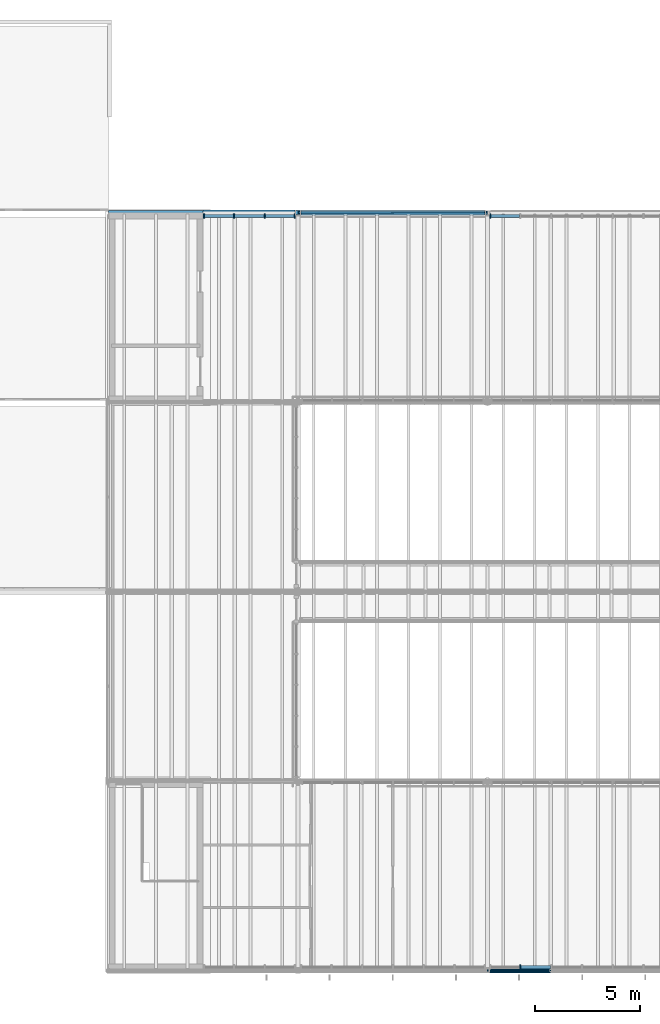
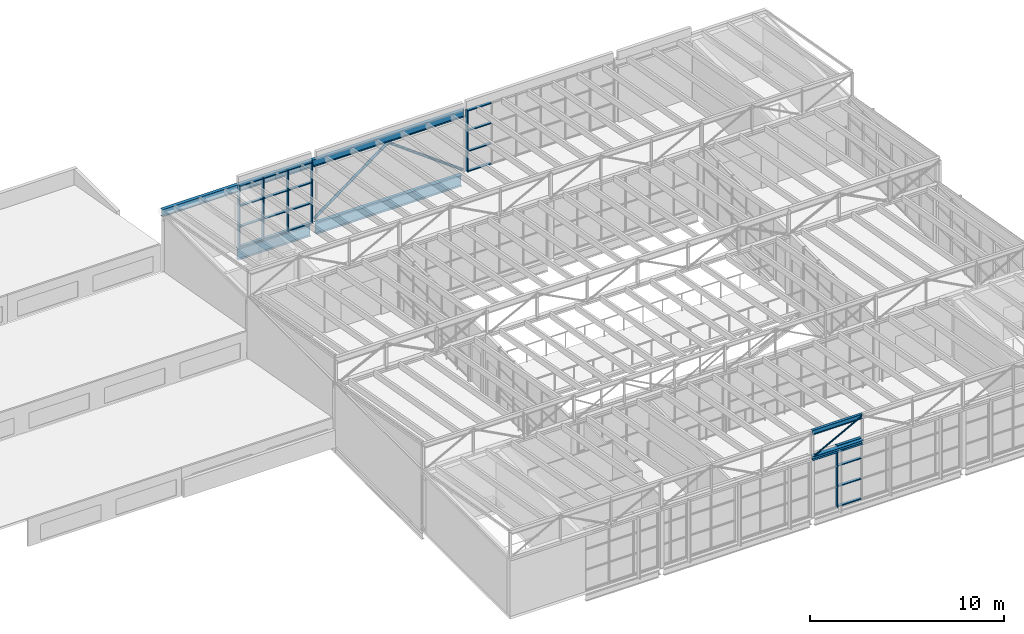
# One storey, part 16 of 44: 31 members, 4 beams, 3 elements without a shape of their own.
"""IFC4 building model written with IfcOpenShell, lengths in metres."""

from ifc_helpers import new_model, si_unit, direction, frame, origin, origin_2d, place, context, subcontext, project, spatial, rectangle, hollow_circle, i_section, extrude, material, layer, layer_set, material_profile, profile_set, type_object, element, aggregate, save


model = new_model("IFC4")

# Units and contexts
model_context = context("Model", 3, precision=1e-05, world=origin(), true_north=direction((0.0, 1.0)))
body_context = subcontext(model_context, "Body", "Model", "MODEL_VIEW")
ifc_project = project(units=[si_unit("LENGTHUNIT", "METRE"), si_unit("AREAUNIT", "SQUARE_METRE"), si_unit("VOLUMEUNIT", "CUBIC_METRE"), si_unit("PLANEANGLEUNIT", "RADIAN"), si_unit("MASSUNIT", "GRAM", prefix="KILO")], contexts=[model_context])

# Site, building, storey
site_placement = place(None, origin())
site = spatial("IfcSite", under=ifc_project, at=site_placement, CompositionType="ELEMENT")
building_placement = place(site_placement, origin())
building = spatial("IfcBuilding", under=site, at=building_placement, Name="Halyard Row Museum", CompositionType="ELEMENT")
storey_placement = place(building_placement, frame((0.0, 0.0, 21.199951171875)))
storey = spatial("IfcBuildingStorey", under=building, at=storey_placement, Name="L04", CompositionType="ELEMENT", Elevation=21.199951171875)

# Members
ifc_material_1 = material(Name="Steel Grade C350L0", Category="steel")
ifc_material_profile_1 = material_profile(ifc_material_1, hollow_circle(Radius=0.084228515625, WallThickness=0.007080078125, at=origin_2d()), Name="168.3x7.1CHS")
ifc_profile_set_1 = profile_set([ifc_material_profile_1], Name="Steel Grade C350L0")
member_type_1 = type_object("IfcMemberType", Name="Brace 168.3x7.1CHS", PredefinedType="BRACE", material=ifc_profile_set_1)
member_1_placement = place(storey_placement, frame((81.074951171875, 36.0, 0.084228515625), z_axis=(0.803958535514, 0.0, 0.594685356449), x_axis=(0.0, 1.0, 0.0)))
element("IfcMember", 1, at=member_1_placement, inside=storey, type_object=member_type_1, Name="Brace L04 Y36 81-90 A", PredefinedType="BRACE", context=body_context, shape_type="SweptSolid", body=[
    extrude(hollow_circle(Radius=0.084228515625, WallThickness=0.007080078125, at=origin_2d()), origin(), (0.0, 0.0, 1.0), 5.504150390625),
])
member_2_placement = place(storey_placement, frame((89.949951171875, 36.0, 0.084228515625), z_axis=(-0.805549880009, 0.0, 0.592527966274), x_axis=(0.0, -1.0, 0.0)))
element("IfcMember", 2, at=member_2_placement, inside=storey, type_object=member_type_1, Name="Brace L04 Y36 81-90 B", PredefinedType="BRACE", context=body_context, shape_type="SweptSolid", body=[
    extrude(hollow_circle(Radius=0.084228515625, WallThickness=0.007080078125, at=origin_2d()), origin(), (0.0, 0.0, 1.0), 5.524169921875),
])

# Curtain wall, member
ifc_material_2 = material(Name="Double glazed unit, low-emissivity", Category="glass")
ifc_layer = layer(ifc_material_2, 0.219970703125)
ifc_layer_set = layer_set([ifc_layer], Name="Double glazed unit, low-emissivity")
curtain_wall_type = type_object("IfcCurtainWallType", Name="Curtain wall unitised 220 deep", PredefinedType="NOTDEFINED", material=ifc_layer_set)
curtain_wall_1_placement = place(storey_placement, origin())
curtain_wall_1 = element("IfcCurtainWall", 3, at=curtain_wall_1_placement, inside=storey, type_object=curtain_wall_type, Name="Curtain wall CW057", PredefinedType="NOTDEFINED")
ifc_material_3 = material(Name="Powder-coated aluminium section", Category="aluminium")
ifc_material_profile_2 = material_profile(ifc_material_3, rectangle(XDim=0.219970703125, YDim=0.06005859375, at=origin_2d()), Name="220x60 mullion")
ifc_profile_set_2 = profile_set([ifc_material_profile_2], Name="Powder-coated aluminium section")
member_type_2 = type_object("IfcMemberType", Name="Curtain wall mullion CM3 60 x 220", PredefinedType="MULLION", material=ifc_profile_set_2)
member_3_placement = place(storey_placement, frame((91.5625, 0.159912109375, 0.0), z_axis=(0.0, 0.0, 1.0), x_axis=(0.0, 1.0, 0.0)))
member_3 = element("IfcMember", 4, at=member_3_placement, type_object=member_type_2, Name="CW057 mullion 2", PredefinedType="MULLION", context=body_context, shape_type="SweptSolid", body=[
    extrude(rectangle(XDim=0.219970703125, YDim=0.06005859375, at=origin_2d()), origin(), (0.0, 0.0, 1.0), 3.878173828125),
])

curtain_wall_2_placement = place(storey_placement, origin())
curtain_wall_2 = element("IfcCurtainWall", 5, at=curtain_wall_2_placement, inside=storey, type_object=curtain_wall_type, Name="Curtain wall CW061", PredefinedType="NOTDEFINED")
member_4_placement = place(storey_placement, frame((90.1298828125, 35.840087890625, 0.0), z_axis=(0.0, 0.0, 1.0), x_axis=(0.0, -1.0, 0.0)))
member_4 = element("IfcMember", 6, at=member_4_placement, type_object=member_type_2, Name="CW061 mullion 7", PredefinedType="MULLION", context=body_context, shape_type="SweptSolid", body=[
    extrude(rectangle(XDim=0.219970703125, YDim=0.06005859375, at=origin_2d()), origin(), (0.0, 0.0, 1.0), 3.878173828125),
])

# Curtain wall, members
curtain_wall_3_placement = place(storey_placement, origin())
curtain_wall_3 = element("IfcCurtainWall", 7, at=curtain_wall_3_placement, inside=storey, type_object=curtain_wall_type, Name="Curtain wall CW062", PredefinedType="NOTDEFINED")
member_5_placement = place(storey_placement, frame((80.844970703125, 35.840087890625, 0.0), z_axis=(0.0, 0.0, 1.0), x_axis=(0.0, -1.0, 0.0)))
member_5 = element("IfcMember", 8, at=member_5_placement, type_object=member_type_2, Name="CW062 mullion 1", PredefinedType="MULLION", context=body_context, shape_type="SweptSolid", body=[
    extrude(rectangle(XDim=0.219970703125, YDim=0.06005859375, at=origin_2d()), origin(), (0.0, 0.0, 1.0), 3.878173828125),
])
member_6_placement = place(storey_placement, frame((79.416748046875, 35.840087890625, 0.0), z_axis=(0.0, 0.0, 1.0), x_axis=(0.0, -1.0, 0.0)))
member_6 = element("IfcMember", 9, at=member_6_placement, type_object=member_type_2, Name="CW062 mullion 2", PredefinedType="MULLION", context=body_context, shape_type="SweptSolid", body=[
    extrude(rectangle(XDim=0.219970703125, YDim=0.06005859375, at=origin_2d()), origin(), (0.0, 0.0, 1.0), 3.878173828125),
])
member_7_placement = place(storey_placement, frame((77.958251953125, 35.840087890625, 0.0), z_axis=(0.0, 0.0, 1.0), x_axis=(0.0, -1.0, 0.0)))
member_7 = element("IfcMember", 10, at=member_7_placement, type_object=member_type_2, Name="CW062 mullion 3", PredefinedType="MULLION", context=body_context, shape_type="SweptSolid", body=[
    extrude(rectangle(XDim=0.219970703125, YDim=0.06005859375, at=origin_2d()), origin(), (0.0, 0.0, 1.0), 3.878173828125),
])
member_8_placement = place(storey_placement, frame((76.530029296875, 35.840087890625, 0.0), z_axis=(0.0, 0.0, 1.0), x_axis=(0.0, -1.0, 0.0)))
member_8 = element("IfcMember", 11, at=member_8_placement, type_object=member_type_2, Name="CW062 mullion 4", PredefinedType="MULLION", context=body_context, shape_type="SweptSolid", body=[
    extrude(rectangle(XDim=0.219970703125, YDim=0.06005859375, at=origin_2d()), origin(), (0.0, 0.0, 1.0), 3.878173828125),
])

# Member
ifc_material_4 = material(Name="Powder-coated aluminium section", Category="aluminium")
ifc_material_profile_3 = material_profile(ifc_material_4, rectangle(XDim=0.159912109375, YDim=0.06005859375, at=origin_2d()), Name="160x60 transom")
ifc_profile_set_3 = profile_set([ifc_material_profile_3], Name="Powder-coated aluminium section")
member_type_3 = type_object("IfcMemberType", Name="Curtain wall transom CT3 60 x 160", PredefinedType="USERDEFINED", material=ifc_profile_set_3)
member_9_placement = place(storey_placement, frame((91.592529296875, 0.159912109375, 0.030029296875), z_axis=(1.0, 0.0, 0.0), x_axis=(0.0, 1.0, 0.0)))
member_9 = element("IfcMember", 12, at=member_9_placement, type_object=member_type_3, Name="CW057 transom 2.1", ObjectType="TRANSOM", PredefinedType="USERDEFINED", context=body_context, shape_type="SweptSolid", body=[
    extrude(rectangle(XDim=0.159912109375, YDim=0.06005859375, at=origin_2d()), origin(), (0.0, 0.0, 1.0), 1.402587890625),
])

member_10_placement = place(storey_placement, frame((91.592529296875, 0.159912109375, 1.292724609375), z_axis=(1.0, 0.0, 0.0), x_axis=(0.0, 1.0, 0.0)))
member_10 = element("IfcMember", 13, at=member_10_placement, type_object=member_type_3, Name="CW057 transom 2.2", ObjectType="TRANSOM", PredefinedType="USERDEFINED", context=body_context, shape_type="SweptSolid", body=[
    extrude(rectangle(XDim=0.159912109375, YDim=0.06005859375, at=origin_2d()), origin(), (0.0, 0.0, 1.0), 1.402587890625),
])

member_11_placement = place(storey_placement, frame((91.592529296875, 0.159912109375, 2.58544921875), z_axis=(1.0, 0.0, 0.0), x_axis=(0.0, 1.0, 0.0)))
member_11 = element("IfcMember", 14, at=member_11_placement, type_object=member_type_3, Name="CW057 transom 2.3", ObjectType="TRANSOM", PredefinedType="USERDEFINED", context=body_context, shape_type="SweptSolid", body=[
    extrude(rectangle(XDim=0.159912109375, YDim=0.06005859375, at=origin_2d()), origin(), (0.0, 0.0, 1.0), 1.402587890625),
])

member_12_placement = place(storey_placement, frame((91.592529296875, 0.159912109375, 3.84814453125), z_axis=(1.0, 0.0, 0.0), x_axis=(0.0, 1.0, 0.0)))
member_12 = element("IfcMember", 15, at=member_12_placement, type_object=member_type_3, Name="CW057 transom 2.4", ObjectType="TRANSOM", PredefinedType="USERDEFINED", context=body_context, shape_type="SweptSolid", body=[
    extrude(rectangle(XDim=0.159912109375, YDim=0.06005859375, at=origin_2d()), origin(), (0.0, 0.0, 1.0), 1.402587890625),
])

aggregate(curtain_wall_1, [member_3, member_9, member_10, member_11, member_12])

member_13_placement = place(storey_placement, frame((91.532470703125, 35.840087890625, 0.030029296875), z_axis=(-1.0, 0.0, 0.0), x_axis=(0.0, -1.0, 0.0)))
member_13 = element("IfcMember", 16, at=member_13_placement, type_object=member_type_3, Name="CW061 transom 6.1", ObjectType="TRANSOM", PredefinedType="USERDEFINED", context=body_context, shape_type="SweptSolid", body=[
    extrude(rectangle(XDim=0.159912109375, YDim=0.06005859375, at=origin_2d()), origin(), (0.0, 0.0, 1.0), 1.37255859375),
])

member_14_placement = place(storey_placement, frame((91.532470703125, 35.840087890625, 1.292724609375), z_axis=(-1.0, 0.0, 0.0), x_axis=(0.0, -1.0, 0.0)))
member_14 = element("IfcMember", 17, at=member_14_placement, type_object=member_type_3, Name="CW061 transom 6.2", ObjectType="TRANSOM", PredefinedType="USERDEFINED", context=body_context, shape_type="SweptSolid", body=[
    extrude(rectangle(XDim=0.159912109375, YDim=0.06005859375, at=origin_2d()), origin(), (0.0, 0.0, 1.0), 1.37255859375),
])

member_15_placement = place(storey_placement, frame((91.532470703125, 35.840087890625, 2.58544921875), z_axis=(-1.0, 0.0, 0.0), x_axis=(0.0, -1.0, 0.0)))
member_15 = element("IfcMember", 18, at=member_15_placement, type_object=member_type_3, Name="CW061 transom 6.3", ObjectType="TRANSOM", PredefinedType="USERDEFINED", context=body_context, shape_type="SweptSolid", body=[
    extrude(rectangle(XDim=0.159912109375, YDim=0.06005859375, at=origin_2d()), origin(), (0.0, 0.0, 1.0), 1.37255859375),
])

member_16_placement = place(storey_placement, frame((91.532470703125, 35.840087890625, 3.84814453125), z_axis=(-1.0, 0.0, 0.0), x_axis=(0.0, -1.0, 0.0)))
member_16 = element("IfcMember", 19, at=member_16_placement, type_object=member_type_3, Name="CW061 transom 6.4", ObjectType="TRANSOM", PredefinedType="USERDEFINED", context=body_context, shape_type="SweptSolid", body=[
    extrude(rectangle(XDim=0.159912109375, YDim=0.06005859375, at=origin_2d()), origin(), (0.0, 0.0, 1.0), 1.37255859375),
])

aggregate(curtain_wall_2, [member_4, member_13, member_14, member_15, member_16])

member_17_placement = place(storey_placement, frame((80.81494140625, 35.840087890625, 0.030029296875), z_axis=(-1.0, 0.0, 0.0), x_axis=(0.0, -1.0, 0.0)))
member_17 = element("IfcMember", 20, at=member_17_placement, type_object=member_type_3, Name="CW062 transom 1.1", ObjectType="TRANSOM", PredefinedType="USERDEFINED", context=body_context, shape_type="SweptSolid", body=[
    extrude(rectangle(XDim=0.159912109375, YDim=0.06005859375, at=origin_2d()), origin(), (0.0, 0.0, 1.0), 1.3681640625),
])

member_18_placement = place(storey_placement, frame((80.81494140625, 35.840087890625, 1.292724609375), z_axis=(-1.0, 0.0, 0.0), x_axis=(0.0, -1.0, 0.0)))
member_18 = element("IfcMember", 21, at=member_18_placement, type_object=member_type_3, Name="CW062 transom 1.2", ObjectType="TRANSOM", PredefinedType="USERDEFINED", context=body_context, shape_type="SweptSolid", body=[
    extrude(rectangle(XDim=0.159912109375, YDim=0.06005859375, at=origin_2d()), origin(), (0.0, 0.0, 1.0), 1.3681640625),
])

member_19_placement = place(storey_placement, frame((80.81494140625, 35.840087890625, 2.58544921875), z_axis=(-1.0, 0.0, 0.0), x_axis=(0.0, -1.0, 0.0)))
member_19 = element("IfcMember", 22, at=member_19_placement, type_object=member_type_3, Name="CW062 transom 1.3", ObjectType="TRANSOM", PredefinedType="USERDEFINED", context=body_context, shape_type="SweptSolid", body=[
    extrude(rectangle(XDim=0.159912109375, YDim=0.06005859375, at=origin_2d()), origin(), (0.0, 0.0, 1.0), 1.3681640625),
])

member_20_placement = place(storey_placement, frame((80.81494140625, 35.840087890625, 3.84814453125), z_axis=(-1.0, 0.0, 0.0), x_axis=(0.0, -1.0, 0.0)))
member_20 = element("IfcMember", 23, at=member_20_placement, type_object=member_type_3, Name="CW062 transom 1.4", ObjectType="TRANSOM", PredefinedType="USERDEFINED", context=body_context, shape_type="SweptSolid", body=[
    extrude(rectangle(XDim=0.159912109375, YDim=0.06005859375, at=origin_2d()), origin(), (0.0, 0.0, 1.0), 1.3681640625),
])

member_21_placement = place(storey_placement, frame((79.38671875, 35.840087890625, 0.030029296875), z_axis=(-1.0, 0.0, 0.0), x_axis=(0.0, -1.0, 0.0)))
member_21 = element("IfcMember", 24, at=member_21_placement, type_object=member_type_3, Name="CW062 transom 2.1", ObjectType="TRANSOM", PredefinedType="USERDEFINED", context=body_context, shape_type="SweptSolid", body=[
    extrude(rectangle(XDim=0.159912109375, YDim=0.06005859375, at=origin_2d()), origin(), (0.0, 0.0, 1.0), 1.3984375),
])

member_22_placement = place(storey_placement, frame((79.38671875, 35.840087890625, 1.292724609375), z_axis=(-1.0, 0.0, 0.0), x_axis=(0.0, -1.0, 0.0)))
member_22 = element("IfcMember", 25, at=member_22_placement, type_object=member_type_3, Name="CW062 transom 2.2", ObjectType="TRANSOM", PredefinedType="USERDEFINED", context=body_context, shape_type="SweptSolid", body=[
    extrude(rectangle(XDim=0.159912109375, YDim=0.06005859375, at=origin_2d()), origin(), (0.0, 0.0, 1.0), 1.3984375),
])

member_23_placement = place(storey_placement, frame((79.38671875, 35.840087890625, 2.58544921875), z_axis=(-1.0, 0.0, 0.0), x_axis=(0.0, -1.0, 0.0)))
member_23 = element("IfcMember", 26, at=member_23_placement, type_object=member_type_3, Name="CW062 transom 2.3", ObjectType="TRANSOM", PredefinedType="USERDEFINED", context=body_context, shape_type="SweptSolid", body=[
    extrude(rectangle(XDim=0.159912109375, YDim=0.06005859375, at=origin_2d()), origin(), (0.0, 0.0, 1.0), 1.3984375),
])

member_24_placement = place(storey_placement, frame((79.38671875, 35.840087890625, 3.84814453125), z_axis=(-1.0, 0.0, 0.0), x_axis=(0.0, -1.0, 0.0)))
member_24 = element("IfcMember", 27, at=member_24_placement, type_object=member_type_3, Name="CW062 transom 2.4", ObjectType="TRANSOM", PredefinedType="USERDEFINED", context=body_context, shape_type="SweptSolid", body=[
    extrude(rectangle(XDim=0.159912109375, YDim=0.06005859375, at=origin_2d()), origin(), (0.0, 0.0, 1.0), 1.3984375),
])

member_25_placement = place(storey_placement, frame((77.92822265625, 35.840087890625, 0.030029296875), z_axis=(-1.0, 0.0, 0.0), x_axis=(0.0, -1.0, 0.0)))
member_25 = element("IfcMember", 28, at=member_25_placement, type_object=member_type_3, Name="CW062 transom 3.1", ObjectType="TRANSOM", PredefinedType="USERDEFINED", context=body_context, shape_type="SweptSolid", body=[
    extrude(rectangle(XDim=0.159912109375, YDim=0.06005859375, at=origin_2d()), origin(), (0.0, 0.0, 1.0), 1.3681640625),
])

member_26_placement = place(storey_placement, frame((77.92822265625, 35.840087890625, 1.292724609375), z_axis=(-1.0, 0.0, 0.0), x_axis=(0.0, -1.0, 0.0)))
member_26 = element("IfcMember", 29, at=member_26_placement, type_object=member_type_3, Name="CW062 transom 3.2", ObjectType="TRANSOM", PredefinedType="USERDEFINED", context=body_context, shape_type="SweptSolid", body=[
    extrude(rectangle(XDim=0.159912109375, YDim=0.06005859375, at=origin_2d()), origin(), (0.0, 0.0, 1.0), 1.3681640625),
])

member_27_placement = place(storey_placement, frame((77.92822265625, 35.840087890625, 2.58544921875), z_axis=(-1.0, 0.0, 0.0), x_axis=(0.0, -1.0, 0.0)))
member_27 = element("IfcMember", 30, at=member_27_placement, type_object=member_type_3, Name="CW062 transom 3.3", ObjectType="TRANSOM", PredefinedType="USERDEFINED", context=body_context, shape_type="SweptSolid", body=[
    extrude(rectangle(XDim=0.159912109375, YDim=0.06005859375, at=origin_2d()), origin(), (0.0, 0.0, 1.0), 1.3681640625),
])

member_28_placement = place(storey_placement, frame((77.92822265625, 35.840087890625, 3.84814453125), z_axis=(-1.0, 0.0, 0.0), x_axis=(0.0, -1.0, 0.0)))
member_28 = element("IfcMember", 31, at=member_28_placement, type_object=member_type_3, Name="CW062 transom 3.4", ObjectType="TRANSOM", PredefinedType="USERDEFINED", context=body_context, shape_type="SweptSolid", body=[
    extrude(rectangle(XDim=0.159912109375, YDim=0.06005859375, at=origin_2d()), origin(), (0.0, 0.0, 1.0), 1.3681640625),
])

aggregate(curtain_wall_3, [member_5, member_6, member_7, member_8, member_17, member_18, member_19, member_20, member_21, member_22, member_23, member_24, member_25, member_26, member_27, member_28])

# Beams
ifc_material_5 = material(Name="Steel Grade 300", Category="steel")
ifc_material_profile_4 = material_profile(ifc_material_5, i_section(OverallWidth=0.19091796875, OverallDepth=0.46044921875, WebThickness=0.010009765625, FlangeThickness=0.01611328125, FilletRadius=0.011474609375, at=origin_2d()), Name="460UB82.1")
ifc_profile_set_4 = profile_set([ifc_material_profile_4], Name="Steel Grade 300")
beam_type_1 = type_object("IfcBeamType", Name="Eave girder 460UB82.1", PredefinedType="BEAM", material=ifc_profile_set_4)
for number, where, z_axis, x_axis, name in (
    (32, (72.0, 36.0, 3.64990234375), (1.0, 0.0, 0.0), (0.0, 1.0, 0.0), "V2 eave girder 5.1"),
    (33, (81.0, 36.0, 3.64990234375), (1.0, 0.0, 0.0), (0.0, 1.0, 0.0), "V2 eave girder 5.2"),
):
    element("IfcBeam", number, at=place(storey_placement, frame(where, z_axis=z_axis, x_axis=x_axis)), inside=storey, type_object=beam_type_1, Name=name, PredefinedType="BEAM", context=body_context, shape_type="SweptSolid", body=[
        extrude(i_section(OverallWidth=0.19091796875, OverallDepth=0.46044921875, WebThickness=0.010009765625, FlangeThickness=0.01611328125, FilletRadius=0.011474609375, at=origin_2d()), origin(), (0.0, 0.0, 1.0), 9.0),
    ])
ifc_material_6 = material(Name="Steel Grade 300", Category="steel")
ifc_material_profile_5 = material_profile(ifc_material_6, i_section(OverallWidth=0.25, OverallDepth=0.699951171875, WebThickness=0.010009765625, FlangeThickness=0.02001953125, at=origin_2d()), Name="700WB130")
ifc_profile_set_5 = profile_set([ifc_material_profile_5], Name="Steel Grade 300")
beam_type_2 = type_object("IfcBeamType", Name="Edge beam 700WB130", PredefinedType="BEAM", material=ifc_profile_set_5)
beam_1_placement = place(storey_placement, frame((76.5, 36.0, -0.514892578125), z_axis=(1.0, 0.0, 0.0), x_axis=(0.0, 1.0, 0.0)))
element("IfcBeam", 34, at=beam_1_placement, inside=storey, type_object=beam_type_2, Name="Beam L04-015", PredefinedType="BEAM", context=body_context, shape_type="SweptSolid", body=[
    extrude(i_section(OverallWidth=0.25, OverallDepth=0.699951171875, WebThickness=0.010009765625, FlangeThickness=0.02001953125, at=origin_2d()), origin(), (0.0, 0.0, 1.0), 4.35009765625),
])
beam_2_placement = place(storey_placement, frame((81.14990234375, 36.0, -0.514892578125), z_axis=(1.0, 0.0, 0.0), x_axis=(0.0, 1.0, 0.0)))
element("IfcBeam", 35, at=beam_2_placement, inside=storey, type_object=beam_type_2, Name="Beam L04-016", PredefinedType="BEAM", context=body_context, shape_type="SweptSolid", body=[
    extrude(i_section(OverallWidth=0.25, OverallDepth=0.699951171875, WebThickness=0.010009765625, FlangeThickness=0.02001953125, at=origin_2d()), origin(), (0.0, 0.0, 1.0), 8.7001953125),
])

# Members
ifc_material_7 = material(Name="Steel Grade 300", Category="steel")
ifc_material_profile_6 = material_profile(ifc_material_7, i_section(OverallWidth=0.25390625, OverallDepth=0.25390625, WebThickness=0.008544921875, FlangeThickness=0.01416015625, FilletRadius=0.013916015625, at=origin_2d()), Name="250UC72.9")
ifc_profile_set_6 = profile_set([ifc_material_profile_6], Name="Steel Grade 300")
member_type_4 = type_object("IfcMemberType", Name="Valley truss bottom chord 250UC72.9", PredefinedType="CHORD", material=ifc_profile_set_6)
member_29_placement = place(storey_placement, frame((90.0, 0.0, 3.72705078125), z_axis=(1.0, 0.0, 0.0), x_axis=(0.0, 1.0, 0.0)))
element("IfcMember", 36, at=member_29_placement, inside=storey, type_object=member_type_4, Name="V2-VT1 bottom chord 3.1", PredefinedType="CHORD", context=body_context, shape_type="SweptSolid", body=[
    extrude(i_section(OverallWidth=0.25390625, OverallDepth=0.25390625, WebThickness=0.008544921875, FlangeThickness=0.01416015625, FilletRadius=0.013916015625, at=origin_2d()), origin(), (0.0, 0.0, 1.0), 3.0),
])
ifc_material_8 = material(Name="Steel Grade C250L0", Category="steel")
ifc_material_profile_7 = material_profile(ifc_material_8, hollow_circle(Radius=0.04443359375, WallThickness=0.0048828125, at=origin_2d()), Name="88.9x5.0CHS")
ifc_profile_set_7 = profile_set([ifc_material_profile_7], Name="Steel Grade C250L0")
member_type_5 = type_object("IfcMemberType", Name="Valley truss diagonal 88.9x5.0CHS", PredefinedType="BRACE", material=ifc_profile_set_7)
member_30_placement = place(storey_placement, frame((90.0, 0.0, 3.72705078125), z_axis=(0.881863759518, 0.0, 0.471504305016), x_axis=(0.0, 1.0, 0.0)))
element("IfcMember", 37, at=member_30_placement, inside=storey, type_object=member_type_5, Name="V2-VT1 diagonal 3.1", PredefinedType="BRACE", context=body_context, shape_type="SweptSolid", body=[
    extrude(hollow_circle(Radius=0.04443359375, WallThickness=0.0048828125, at=origin_2d()), origin(), (0.0, 0.0, 1.0), 3.40185546875),
])
ifc_material_9 = material(Name="Steel Grade 300", Category="steel")
ifc_material_profile_8 = material_profile(ifc_material_9, i_section(OverallWidth=0.14892578125, OverallDepth=0.298095703125, WebThickness=0.005615234375, FlangeThickness=0.008056640625, FilletRadius=0.012939453125, at=origin_2d()), Name="310UB32.0")
ifc_profile_set_8 = profile_set([ifc_material_profile_8], Name="Steel Grade 300")
member_type_6 = type_object("IfcMemberType", Name="Valley truss top chord 310UB32.0", PredefinedType="CHORD", material=ifc_profile_set_8)
member_31_placement = place(storey_placement, frame((90.0, 0.0, 5.3310546875), z_axis=(1.0, 0.0, 0.0), x_axis=(0.0, 1.0, 0.0)))
element("IfcMember", 38, at=member_31_placement, inside=storey, type_object=member_type_6, Name="V2-VT1 top chord 3.1", PredefinedType="CHORD", context=body_context, shape_type="SweptSolid", body=[
    extrude(i_section(OverallWidth=0.14892578125, OverallDepth=0.298095703125, WebThickness=0.005615234375, FlangeThickness=0.008056640625, FilletRadius=0.012939453125, at=origin_2d()), origin(), (0.0, 0.0, 1.0), 3.0),
])

save(model, "model.ifc")
